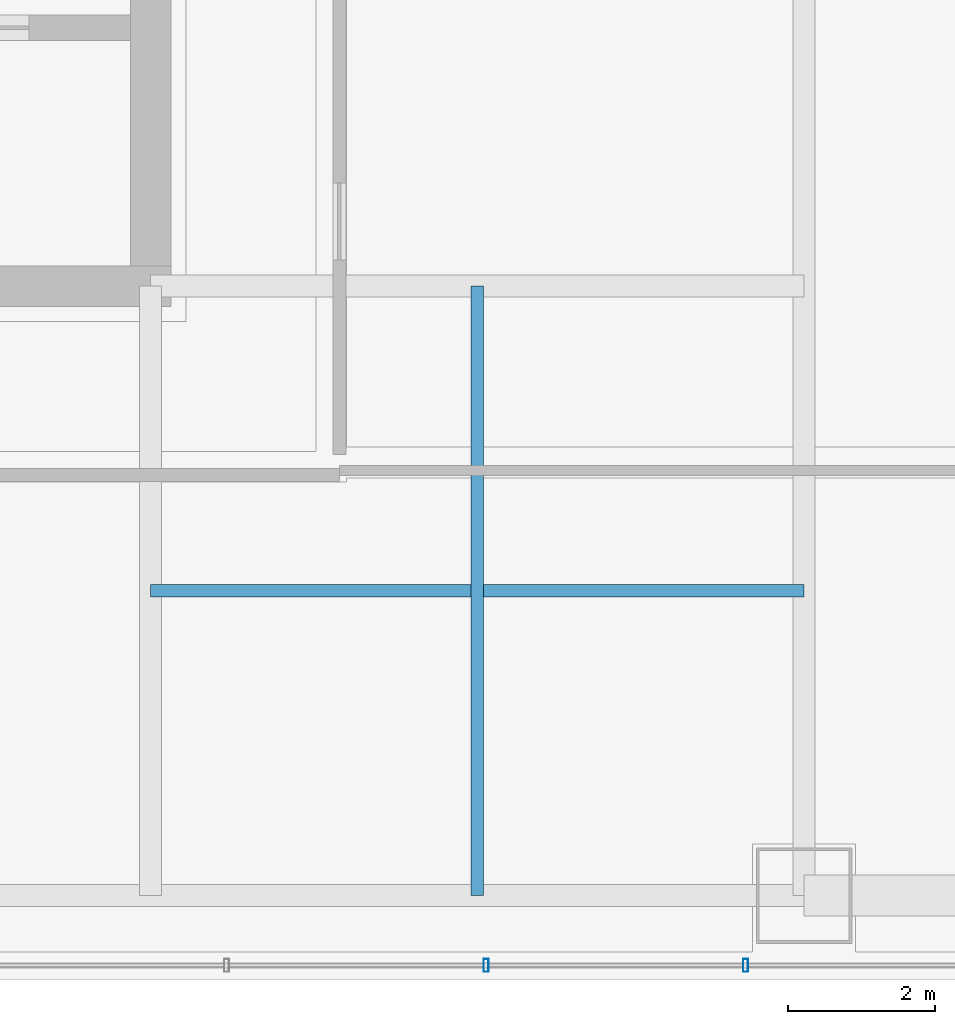
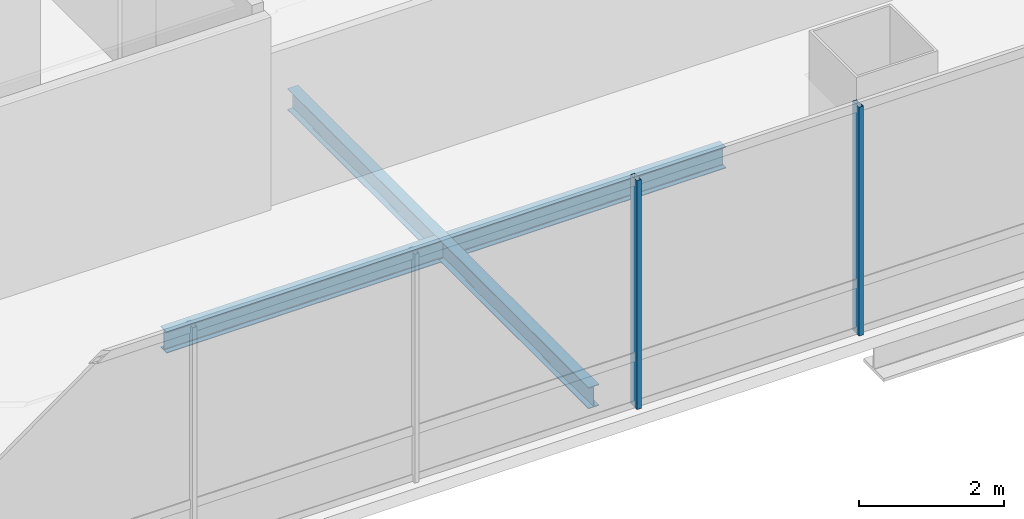
# One storey, part 14 of 39: 2 beams, 2 members, 1 element without a shape of its own.
"""IFC4 building model written with IfcOpenShell, lengths in metres."""

import ifcopenshell
import ifcopenshell.guid

model = None  # the IFC model being written
_history = None  # IfcOwnerHistory: only IFC2X3 demands one
_inside = {}  # id of a spatial element -> (the spatial element, [elements in it])
_under = {}  # id of a project, library or spatial element -> (it, [spatial elements below it])
_declared = {}  # id of a project -> (the project, [libraries it declares])
_typed = {}  # id of a type object -> (the type object, [elements of that type])
_made_of = {}  # id of a material, layer set ... -> (it, [elements and type objects made of it])


def new_model(schema):
    """Start an empty IFC model of exactly this schema.

    Asked for "IFC4X3", IfcOpenShell would pick the latest addendum, in which some entities
    have other attributes; the version numbers below select the first issue.
    IFC2X3 requires an IfcOwnerHistory on every rooted entity: one is made here for all.
    """
    global model, _history
    if schema == "IFC4X3":
        model = ifcopenshell.file(schema_version=(4, 3, 0, 0))
    else:
        model = ifcopenshell.file(schema=schema)
    _inside.clear()
    _under.clear()
    _declared.clear()
    _typed.clear()
    _made_of.clear()
    _history = None
    if model.schema == "IFC2X3":
        org = make("IfcOrganization", Name="unknown")
        user = make(
            "IfcPersonAndOrganization",
            ThePerson=make("IfcPerson", FamilyName="unknown"),
            TheOrganization=org,
        )
        app = make(
            "IfcApplication",
            ApplicationDeveloper=org,
            Version="unknown",
            ApplicationFullName="unknown",
            ApplicationIdentifier="unknown",
        )
        _history = make(
            "IfcOwnerHistory",
            OwningUser=user,
            OwningApplication=app,
            ChangeAction="ADDED",
            CreationDate=0,
        )
    return model


def make(cls, **values):
    """One entity of the class cls with the attributes given. An attribute that is None is left unset."""
    return model.create_entity(
        cls, **{name: value for name, value in values.items() if value is not None}
    )


def rooted(cls, **values):
    """An entity with a GlobalId (a new one), such as an element, a storey or a relation."""
    return make(cls, GlobalId=ifcopenshell.guid.new(), OwnerHistory=_history, **values)


def si_unit(unit_type, name, prefix=None):
    """IfcSIUnit, for example si_unit("LENGTHUNIT", "METRE", prefix="MILLI")."""
    return make("IfcSIUnit", UnitType=unit_type, Prefix=prefix, Name=name)


def assignment(units):
    """IfcUnitAssignment: the units of a project."""
    return None if units is None else make("IfcUnitAssignment", Units=units)


def point(xyz):
    """IfcCartesianPoint."""
    return None if xyz is None else make("IfcCartesianPoint", Coordinates=xyz)


def direction(xyz):
    """IfcDirection."""
    return None if xyz is None else make("IfcDirection", DirectionRatios=xyz)


def frame(location, z_axis=None, x_axis=None):
    """IfcAxis2Placement3D, a coordinate frame: its origin and axes. An axis left out is left unset."""
    return make(
        "IfcAxis2Placement3D",
        Location=point(location),
        Axis=direction(z_axis),
        RefDirection=direction(x_axis),
    )


def frame_2d(location, x_axis=None):
    """IfcAxis2Placement2D, a coordinate frame in the plane: its origin and x axis."""
    return make(
        "IfcAxis2Placement2D", Location=point(location), RefDirection=direction(x_axis)
    )


def origin():
    """The frame at (0, 0, 0) with its axes left unset."""
    return frame((0.0, 0.0, 0.0))


def origin_2d():
    """The frame at (0, 0) in the plane with its x axis left unset."""
    return frame_2d((0.0, 0.0))


def place(relative_to, where):
    """IfcLocalPlacement: puts the frame where relative to a parent placement (None: the world)."""
    return make(
        "IfcLocalPlacement", PlacementRelTo=relative_to, RelativePlacement=where
    )


def context(
    kind, dimensions, precision=None, world=None, true_north=None, identifier=None
):
    """IfcGeometricRepresentationContext, for example the 3D "Model" context."""
    return make(
        "IfcGeometricRepresentationContext",
        ContextIdentifier=identifier,
        ContextType=kind,
        CoordinateSpaceDimension=dimensions,
        Precision=precision,
        WorldCoordinateSystem=world,
        TrueNorth=true_north,
    )


def subcontext(parent, identifier, kind, view, scale=None):
    """IfcGeometricRepresentationSubContext, for example "Body" below "Model"."""
    return make(
        "IfcGeometricRepresentationSubContext",
        ContextIdentifier=identifier,
        ContextType=kind,
        ParentContext=parent,
        TargetScale=scale,
        TargetView=view,
    )


def project(units=None, contexts=None):
    """IfcProject with its units and contexts."""
    return rooted(
        "IfcProject",
        Name="project",
        RepresentationContexts=contexts,
        UnitsInContext=assignment(units),
    )


def spatial(cls, under=None, at=None, **own):
    """A site, building, storey or space (cls), placed at a placement, below another one or the project."""
    s = rooted(cls, ObjectPlacement=at, **own)
    if under is not None:
        _under.setdefault(under.id(), (under, []))[1].append(s)
    return s


def profile(cls, at=None, kind="AREA", **sizes):
    """A parametric profile (cls). Its sizes go by their IFC names, for example OverallWidth=200.0."""
    return make(cls, ProfileType=kind, Position=at, **sizes)


def hollow_rectangle(**sizes):
    """IfcRectangleHollowProfileDef."""
    return profile("IfcRectangleHollowProfileDef", **sizes)


def i_section(**sizes):
    """IfcIShapeProfileDef."""
    return profile("IfcIShapeProfileDef", **sizes)


def extrude(swept, where, along, depth):
    """IfcExtrudedAreaSolid: the profile swept, set in the frame where, extruded along a direction by depth."""
    return make(
        "IfcExtrudedAreaSolid",
        SweptArea=swept,
        Position=where,
        ExtrudedDirection=direction(along),
        Depth=depth,
    )


def shape(context_of_items, identifier, shape_type, items):
    """IfcShapeRepresentation: the items that make up one representation, for example the "Body"."""
    return make(
        "IfcShapeRepresentation",
        ContextOfItems=context_of_items,
        RepresentationIdentifier=identifier,
        RepresentationType=shape_type,
        Items=items,
    )


def material(Name=None, Category=None):
    """IfcMaterial."""
    return make("IfcMaterial", Name=Name, Category=Category)


def material_profile(
    of_material, cross_section, Name=None, Category=None, Priority=None
):
    """IfcMaterialProfile: a cross section and its material."""
    return make(
        "IfcMaterialProfile",
        Name=Name,
        Material=of_material,
        Profile=cross_section,
        Priority=Priority,
        Category=Category,
    )


def profile_set(profiles, Name=None, composite=None):
    """IfcMaterialProfileSet."""
    return make(
        "IfcMaterialProfileSet",
        Name=Name,
        MaterialProfiles=profiles,
        CompositeProfile=composite,
    )


def made_of(thing, what):
    """Note that an element or type object is made of a material, layer set ...; save() writes the relation."""
    if what is not None:
        _made_of.setdefault(what.id(), (what, []))[1].append(thing)
    return thing


def type_object(cls, material=None, **own):
    """A type object (cls), such as IfcWallType, which elements share."""
    return made_of(rooted(cls, **own), material)


def element(
    cls,
    number,
    at=None,
    inside=None,
    cuts=None,
    type_object=None,
    material=None,
    context=None,
    identifier="Body",
    shape_type=None,
    held_by="IfcProductDefinitionShape",
    body=None,
    shapes=None,
    **own,
):
    """One element of the class cls, such as IfcWall. Its Tag is "e" and its number.

    at: its placement. inside: the storey or other place that contains it. cuts: it is an
    opening in that element (IfcRelVoidsElement). A single representation is given by context,
    identifier, shape_type and body (its items); several are given by shapes. held_by: the class
    of the entity that holds the representations. save() writes the other relations.
    """
    e = rooted(cls, Tag="e%d" % number, ObjectPlacement=at, **own)
    if body is not None:
        shapes = [shape(context, identifier, shape_type, body)]
    if shapes is not None:
        e.Representation = make(held_by, Representations=shapes)
    if inside is not None:
        _inside.setdefault(inside.id(), (inside, []))[1].append(e)
    if cuts is not None:
        rooted(
            "IfcRelVoidsElement", RelatingBuildingElement=cuts, RelatedOpeningElement=e
        )
    if type_object is not None:
        _typed.setdefault(type_object.id(), (type_object, []))[1].append(e)
    return made_of(e, material)


def aggregate(whole, parts):
    """IfcRelAggregates: a whole, such as a stair, and the parts it consists of."""
    return rooted("IfcRelAggregates", RelatingObject=whole, RelatedObjects=parts)


def save(model, path):
    """Write the relations noted so far, then the file.

    IfcRelAggregates (storeys below a building ...), IfcRelContainedInSpatialStructure (elements
    in a storey), IfcRelDefinesByType, IfcRelAssociatesMaterial and IfcRelDeclares: one each for
    every whole, place, type object, material and project.
    """
    for whole, parts in _under.values():
        aggregate(whole, parts)
    for where, things in _inside.values():
        rooted(
            "IfcRelContainedInSpatialStructure",
            RelatedElements=things,
            RelatingStructure=where,
        )
    for kind, things in _typed.values():
        rooted("IfcRelDefinesByType", RelatedObjects=things, RelatingType=kind)
    for what, things in _made_of.values():
        rooted("IfcRelAssociatesMaterial", RelatedObjects=things, RelatingMaterial=what)
    for by, libraries in _declared.values():
        rooted("IfcRelDeclares", RelatingContext=by, RelatedDefinitions=libraries)
    model.write(path)


model = new_model("IFC4")

# Units and contexts
model_context = context("Model", 3, precision=1e-05, world=origin(), true_north=direction((0.0, 1.0)))
body_context = subcontext(model_context, "Body", "Model", "MODEL_VIEW")
ifc_project = project(units=[si_unit("LENGTHUNIT", "METRE"), si_unit("AREAUNIT", "SQUARE_METRE"), si_unit("VOLUMEUNIT", "CUBIC_METRE"), si_unit("PLANEANGLEUNIT", "RADIAN"), si_unit("MASSUNIT", "GRAM", prefix="KILO")], contexts=[model_context])

# Site, building, storey
site_placement = place(None, origin())
site = spatial("IfcSite", under=ifc_project, at=site_placement, CompositionType="ELEMENT")
building_placement = place(site_placement, origin())
building = spatial("IfcBuilding", under=site, at=building_placement, Name="Punatoya Terracotta Tower", CompositionType="ELEMENT")
storey_placement = place(building_placement, frame((0.0, 0.0, 275.699951171875)))
storey = spatial("IfcBuildingStorey", under=building, at=storey_placement, Name="L65", CompositionType="ELEMENT", Elevation=275.699951171875)

# Beams
ifc_material_1 = material(Name="Steel S355", Category="steel")
ifc_material_profile_1 = material_profile(ifc_material_1, i_section(OverallWidth=0.169921875, OverallDepth=0.360107421875, WebThickness=0.008056640625, FlangeThickness=0.0126953125, FilletRadius=0.01806640625, at=origin_2d()))
ifc_profile_set_1 = profile_set([ifc_material_profile_1], Name="Steel S355")
beam_type = type_object("IfcBeamType", Name="BM-SEC-360", PredefinedType="JOIST", material=ifc_profile_set_1)
beam_1_placement = place(storey_placement, frame((10.199951171875, -13.35009765625, -0.3798828125), z_axis=(1.0, 0.0, 0.0), x_axis=(0.0, 1.0, 0.0)))
element("IfcBeam", 1, at=beam_1_placement, inside=storey, type_object=beam_type, Name="BM-L65-SJS-2", PredefinedType="JOIST", context=body_context, shape_type="SweptSolid", body=[
    extrude(i_section(OverallWidth=0.169921875, OverallDepth=0.360107421875, WebThickness=0.008056640625, FlangeThickness=0.0126953125, FilletRadius=0.01806640625, at=origin_2d()), origin(), (0.0, 0.0, 1.0), 8.900146484375),
])
beam_2_placement = place(storey_placement, frame((14.64990234375, -17.5, -0.3798828125), z_axis=(0.0, 1.0, 0.0), x_axis=(-1.0, 0.0, 0.0)))
element("IfcBeam", 2, at=beam_2_placement, inside=storey, type_object=beam_type, Name="BM-L65-SJE-1", PredefinedType="JOIST", context=body_context, shape_type="SweptSolid", body=[
    extrude(i_section(OverallWidth=0.169921875, OverallDepth=0.360107421875, WebThickness=0.008056640625, FlangeThickness=0.0126953125, FilletRadius=0.01806640625, at=origin_2d()), origin(), (0.0, 0.0, 1.0), 8.300048828125),
])

# Curtain wall, members
ifc_material_2 = material(Name="Aluminium 6063-T6 + Double Low-E Glass", Category="aluminium")
curtain_wall_type = type_object("IfcCurtainWallType", Name="CW-M3", PredefinedType="NOTDEFINED", material=ifc_material_2)
curtain_wall_placement = place(storey_placement, origin())
curtain_wall = element("IfcCurtainWall", 3, at=curtain_wall_placement, inside=storey, type_object=curtain_wall_type, Name="L65 Curtain Wall CW-L65-S01-1", PredefinedType="NOTDEFINED")
ifc_material_3 = material(Name="Aluminium 6063-T6", Category="aluminium")
ifc_material_profile_2 = material_profile(ifc_material_3, hollow_rectangle(XDim=0.070068359375, YDim=0.179931640625, WallThickness=0.00390625, at=origin_2d()))
ifc_profile_set_2 = profile_set([ifc_material_profile_2], Name="Aluminium 6063-T6")
member_type = type_object("IfcMemberType", Name="CW-MUL-M3", PredefinedType="MULLION", material=ifc_profile_set_2)
member_1_placement = place(storey_placement, frame((14.768798828125, -18.449951171875, 0.0), z_axis=(0.0, 0.0, 1.0), x_axis=(1.0, 0.0, 0.0)))
member_1 = element("IfcMember", 4, at=member_1_placement, type_object=member_type, Name="CW-L65-S01-1 Mullion 09", PredefinedType="MULLION", context=body_context, shape_type="SweptSolid", body=[
    extrude(hollow_rectangle(XDim=0.070068359375, YDim=0.179931640625, WallThickness=0.00390625, at=origin_2d()), origin(), (0.0, 0.0, 1.0), 3.85009765625),
])
member_2_placement = place(storey_placement, frame((18.302978515625, -18.449951171875, 0.0), z_axis=(0.0, 0.0, 1.0), x_axis=(1.0, 0.0, 0.0)))
member_2 = element("IfcMember", 5, at=member_2_placement, type_object=member_type, Name="CW-L65-S01-1 Mullion 10", PredefinedType="MULLION", context=body_context, shape_type="SweptSolid", body=[
    extrude(hollow_rectangle(XDim=0.070068359375, YDim=0.179931640625, WallThickness=0.00390625, at=origin_2d()), origin(), (0.0, 0.0, 1.0), 3.85009765625),
])
aggregate(curtain_wall, [member_1, member_2])

save(model, "model.ifc")
